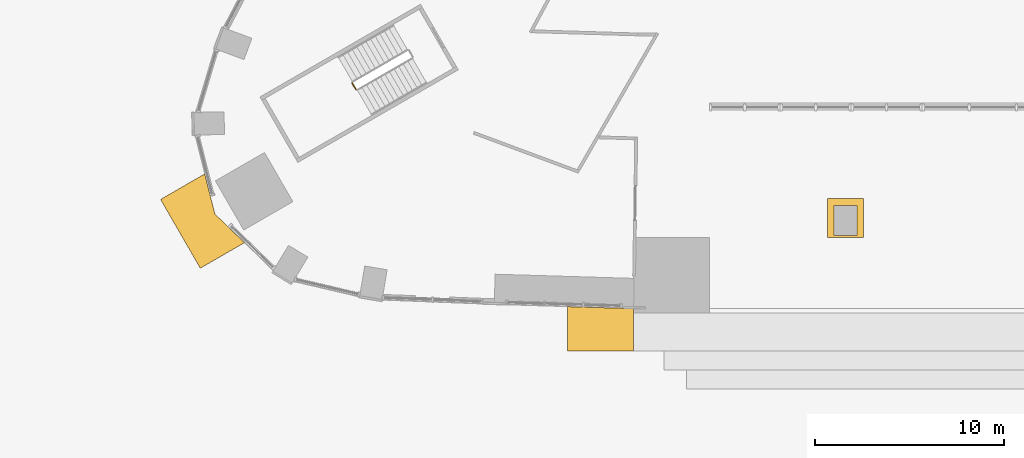
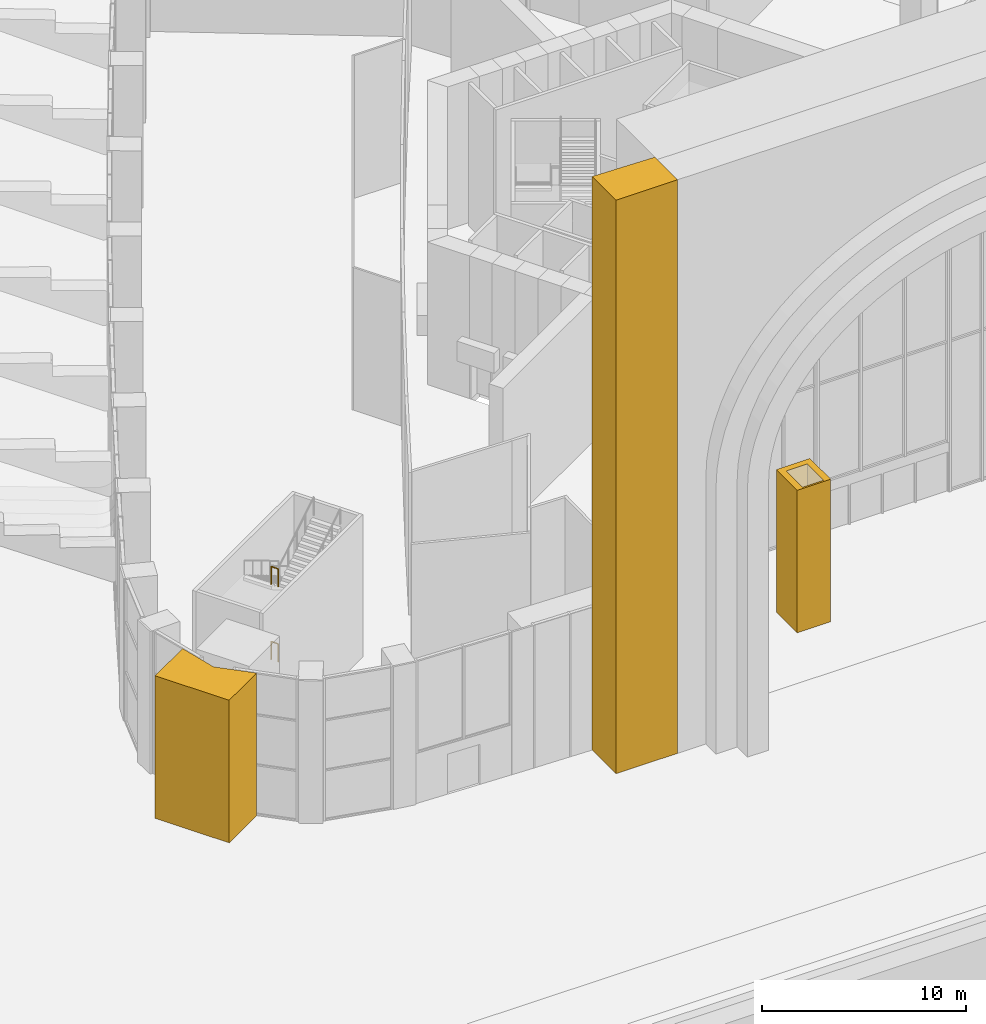
# One storey, part 24 of 36: 3 coverings, 2 railings.
"""IFC4 building model written with IfcOpenShell, lengths in metres."""

import ifcopenshell
import ifcopenshell.guid

model = None  # the IFC model being written
_history = None  # IfcOwnerHistory: only IFC2X3 demands one
_inside = {}  # id of a spatial element -> (the spatial element, [elements in it])
_under = {}  # id of a project, library or spatial element -> (it, [spatial elements below it])
_declared = {}  # id of a project -> (the project, [libraries it declares])
_typed = {}  # id of a type object -> (the type object, [elements of that type])
_made_of = {}  # id of a material, layer set ... -> (it, [elements and type objects made of it])


def new_model(schema):
    """Start an empty IFC model of exactly this schema.

    Asked for "IFC4X3", IfcOpenShell would pick the latest addendum, in which some entities
    have other attributes; the version numbers below select the first issue.
    IFC2X3 requires an IfcOwnerHistory on every rooted entity: one is made here for all.
    """
    global model, _history
    if schema == "IFC4X3":
        model = ifcopenshell.file(schema_version=(4, 3, 0, 0))
    else:
        model = ifcopenshell.file(schema=schema)
    _inside.clear()
    _under.clear()
    _declared.clear()
    _typed.clear()
    _made_of.clear()
    _history = None
    if model.schema == "IFC2X3":
        org = make("IfcOrganization", Name="unknown")
        user = make(
            "IfcPersonAndOrganization",
            ThePerson=make("IfcPerson", FamilyName="unknown"),
            TheOrganization=org,
        )
        app = make(
            "IfcApplication",
            ApplicationDeveloper=org,
            Version="unknown",
            ApplicationFullName="unknown",
            ApplicationIdentifier="unknown",
        )
        _history = make(
            "IfcOwnerHistory",
            OwningUser=user,
            OwningApplication=app,
            ChangeAction="ADDED",
            CreationDate=0,
        )
    return model


def make(cls, **values):
    """One entity of the class cls with the attributes given. An attribute that is None is left unset."""
    return model.create_entity(
        cls, **{name: value for name, value in values.items() if value is not None}
    )


def rooted(cls, **values):
    """An entity with a GlobalId (a new one), such as an element, a storey or a relation."""
    return make(cls, GlobalId=ifcopenshell.guid.new(), OwnerHistory=_history, **values)


def si_unit(unit_type, name, prefix=None):
    """IfcSIUnit, for example si_unit("LENGTHUNIT", "METRE", prefix="MILLI")."""
    return make("IfcSIUnit", UnitType=unit_type, Prefix=prefix, Name=name)


def assignment(units):
    """IfcUnitAssignment: the units of a project."""
    return None if units is None else make("IfcUnitAssignment", Units=units)


def point(xyz):
    """IfcCartesianPoint."""
    return None if xyz is None else make("IfcCartesianPoint", Coordinates=xyz)


def direction(xyz):
    """IfcDirection."""
    return None if xyz is None else make("IfcDirection", DirectionRatios=xyz)


def frame(location, z_axis=None, x_axis=None):
    """IfcAxis2Placement3D, a coordinate frame: its origin and axes. An axis left out is left unset."""
    return make(
        "IfcAxis2Placement3D",
        Location=point(location),
        Axis=direction(z_axis),
        RefDirection=direction(x_axis),
    )


def frame_2d(location, x_axis=None):
    """IfcAxis2Placement2D, a coordinate frame in the plane: its origin and x axis."""
    return make(
        "IfcAxis2Placement2D", Location=point(location), RefDirection=direction(x_axis)
    )


def origin():
    """The frame at (0, 0, 0) with its axes left unset."""
    return frame((0.0, 0.0, 0.0))


def origin_2d():
    """The frame at (0, 0) in the plane with its x axis left unset."""
    return frame_2d((0.0, 0.0))


def place(relative_to, where):
    """IfcLocalPlacement: puts the frame where relative to a parent placement (None: the world)."""
    return make(
        "IfcLocalPlacement", PlacementRelTo=relative_to, RelativePlacement=where
    )


def context(
    kind, dimensions, precision=None, world=None, true_north=None, identifier=None
):
    """IfcGeometricRepresentationContext, for example the 3D "Model" context."""
    return make(
        "IfcGeometricRepresentationContext",
        ContextIdentifier=identifier,
        ContextType=kind,
        CoordinateSpaceDimension=dimensions,
        Precision=precision,
        WorldCoordinateSystem=world,
        TrueNorth=true_north,
    )


def subcontext(parent, identifier, kind, view, scale=None):
    """IfcGeometricRepresentationSubContext, for example "Body" below "Model"."""
    return make(
        "IfcGeometricRepresentationSubContext",
        ContextIdentifier=identifier,
        ContextType=kind,
        ParentContext=parent,
        TargetScale=scale,
        TargetView=view,
    )


def project(units=None, contexts=None):
    """IfcProject with its units and contexts."""
    return rooted(
        "IfcProject",
        Name="project",
        RepresentationContexts=contexts,
        UnitsInContext=assignment(units),
    )


def spatial(cls, under=None, at=None, **own):
    """A site, building, storey or space (cls), placed at a placement, below another one or the project."""
    s = rooted(cls, ObjectPlacement=at, **own)
    if under is not None:
        _under.setdefault(under.id(), (under, []))[1].append(s)
    return s


def polyline(points):
    """IfcPolyline through the points."""
    return make("IfcPolyline", Points=[point(p) for p in points])


def profile(cls, at=None, kind="AREA", **sizes):
    """A parametric profile (cls). Its sizes go by their IFC names, for example OverallWidth=200.0."""
    return make(cls, ProfileType=kind, Position=at, **sizes)


def circle(**sizes):
    """IfcCircleProfileDef."""
    return profile("IfcCircleProfileDef", **sizes)


def outline(outer, holes=None, kind="AREA"):
    """IfcArbitraryClosedProfileDef: a profile drawn as a closed curve; with holes, ...WithVoids."""
    if holes is None:
        return make("IfcArbitraryClosedProfileDef", ProfileType=kind, OuterCurve=outer)
    return make(
        "IfcArbitraryProfileDefWithVoids",
        ProfileType=kind,
        OuterCurve=outer,
        InnerCurves=holes,
    )


def extrude(swept, where, along, depth):
    """IfcExtrudedAreaSolid: the profile swept, set in the frame where, extruded along a direction by depth."""
    return make(
        "IfcExtrudedAreaSolid",
        SweptArea=swept,
        Position=where,
        ExtrudedDirection=direction(along),
        Depth=depth,
    )


def shape(context_of_items, identifier, shape_type, items):
    """IfcShapeRepresentation: the items that make up one representation, for example the "Body"."""
    return make(
        "IfcShapeRepresentation",
        ContextOfItems=context_of_items,
        RepresentationIdentifier=identifier,
        RepresentationType=shape_type,
        Items=items,
    )


def material(Name=None, Category=None):
    """IfcMaterial."""
    return make("IfcMaterial", Name=Name, Category=Category)


def made_of(thing, what):
    """Note that an element or type object is made of a material, layer set ...; save() writes the relation."""
    if what is not None:
        _made_of.setdefault(what.id(), (what, []))[1].append(thing)
    return thing


def type_object(cls, material=None, **own):
    """A type object (cls), such as IfcWallType, which elements share."""
    return made_of(rooted(cls, **own), material)


def element(
    cls,
    number,
    at=None,
    inside=None,
    cuts=None,
    type_object=None,
    material=None,
    context=None,
    identifier="Body",
    shape_type=None,
    held_by="IfcProductDefinitionShape",
    body=None,
    shapes=None,
    **own,
):
    """One element of the class cls, such as IfcWall. Its Tag is "e" and its number.

    at: its placement. inside: the storey or other place that contains it. cuts: it is an
    opening in that element (IfcRelVoidsElement). A single representation is given by context,
    identifier, shape_type and body (its items); several are given by shapes. held_by: the class
    of the entity that holds the representations. save() writes the other relations.
    """
    e = rooted(cls, Tag="e%d" % number, ObjectPlacement=at, **own)
    if body is not None:
        shapes = [shape(context, identifier, shape_type, body)]
    if shapes is not None:
        e.Representation = make(held_by, Representations=shapes)
    if inside is not None:
        _inside.setdefault(inside.id(), (inside, []))[1].append(e)
    if cuts is not None:
        rooted(
            "IfcRelVoidsElement", RelatingBuildingElement=cuts, RelatedOpeningElement=e
        )
    if type_object is not None:
        _typed.setdefault(type_object.id(), (type_object, []))[1].append(e)
    return made_of(e, material)


def aggregate(whole, parts):
    """IfcRelAggregates: a whole, such as a stair, and the parts it consists of."""
    return rooted("IfcRelAggregates", RelatingObject=whole, RelatedObjects=parts)


def save(model, path):
    """Write the relations noted so far, then the file.

    IfcRelAggregates (storeys below a building ...), IfcRelContainedInSpatialStructure (elements
    in a storey), IfcRelDefinesByType, IfcRelAssociatesMaterial and IfcRelDeclares: one each for
    every whole, place, type object, material and project.
    """
    for whole, parts in _under.values():
        aggregate(whole, parts)
    for where, things in _inside.values():
        rooted(
            "IfcRelContainedInSpatialStructure",
            RelatedElements=things,
            RelatingStructure=where,
        )
    for kind, things in _typed.values():
        rooted("IfcRelDefinesByType", RelatedObjects=things, RelatingType=kind)
    for what, things in _made_of.values():
        rooted("IfcRelAssociatesMaterial", RelatedObjects=things, RelatingMaterial=what)
    for by, libraries in _declared.values():
        rooted("IfcRelDeclares", RelatingContext=by, RelatedDefinitions=libraries)
    model.write(path)


model = new_model("IFC4")

# Units and contexts
model_context = context("Model", 3, precision=1e-05, world=origin(), true_north=direction((0.0, 1.0)))
body_context = subcontext(model_context, "Body", "Model", "MODEL_VIEW")
ifc_project = project(units=[si_unit("LENGTHUNIT", "METRE"), si_unit("AREAUNIT", "SQUARE_METRE"), si_unit("VOLUMEUNIT", "CUBIC_METRE"), si_unit("PLANEANGLEUNIT", "RADIAN"), si_unit("MASSUNIT", "GRAM", prefix="KILO")], contexts=[model_context])

# Site, building, storey
site_placement = place(None, origin())
site = spatial("IfcSite", under=ifc_project, at=site_placement, CompositionType="ELEMENT")
building_placement = place(site_placement, origin())
building = spatial("IfcBuilding", under=site, at=building_placement, Name="Entoto Arch Interchange Tower", CompositionType="ELEMENT")
storey_placement = place(building_placement, origin())
storey = spatial("IfcBuildingStorey", under=building, at=storey_placement, Name="L00", CompositionType="ELEMENT", Elevation=0.0)

# Coverings
ifc_material_1 = material(Name="Board-marked precast concrete C50/60", Category="concrete")
covering_type = type_object("IfcCoveringType", Name="PRECAST FRAME COURSE", PredefinedType="CLADDING", material=ifc_material_1)
covering_1_placement = place(storey_placement, origin())
element("IfcCovering", 1, at=covering_1_placement, inside=storey, type_object=covering_type, Name="Portal frame jamb W", PredefinedType="CLADDING", context=body_context, shape_type="SweptSolid", body=[
    extrude(outline(polyline([(-19.0, -31.0), (-22.5, -31.0), (-22.5, -28.656982421875), (-19.0, -28.761962890625), (-19.0, -31.0)])), origin(), (0.0, 0.0, 1.0), 34.39990234375),
])
covering_2_placement = place(storey_placement, origin())
element("IfcCovering", 2, at=covering_2_placement, inside=storey, type_object=covering_type, Name="Podium corner pier SW L00", PredefinedType="CLADDING", context=body_context, shape_type="SweptSolid", body=[
    extrude(outline(polyline([(-44.01611328125, -22.987060546875), (-41.679931640625, -21.638916015625), (-41.14697265625, -23.756103515625), (-39.580078125, -25.27587890625), (-41.916015625, -26.625), (-44.01611328125, -22.987060546875)])), origin(), (0.0, 0.0, 1.0), 8.550048828125),
])
covering_3_placement = place(storey_placement, origin())
element("IfcCovering", 3, at=covering_3_placement, inside=storey, type_object=covering_type, Name="Gate pier L00", PredefinedType="CLADDING", context=body_context, shape_type="SweptSolid", body=[
    extrude(outline(polyline([(-8.75, -22.949951171875), (-6.85009765625, -22.949951171875), (-6.85009765625, -24.9990234375), (-8.75, -24.9990234375), (-8.75, -22.949951171875)]), holes=[polyline([(-8.39990234375, -23.300048828125), (-8.39990234375, -24.89990234375), (-7.199951171875, -24.89990234375), (-7.199951171875, -23.300048828125), (-8.39990234375, -23.300048828125)])]), origin(), (0.0, 0.0, 1.0), 8.550048828125),
])

# Railings
ifc_material_2 = material(Name="Stainless steel 1.4301", Category="steel")
railing_type = type_object("IfcRailingType", Name="STAIR GUARD 1100 STEEL", PredefinedType="GUARDRAIL", material=ifc_material_2)
for number, where, name in (
    (4, (-33.8837890625, -16.831787109375, 2.25), "L00 PST-SW stair guard 2"),
    (5, (-33.8837890625, -16.831787109375, 6.75), "L00 PST-SW stair guard 6"),
):
    element("IfcRailing", number, at=place(storey_placement, frame(where)), inside=storey, type_object=railing_type, Name=name, PredefinedType="GUARDRAIL", context=body_context, shape_type="SweptSolid", body=[
        extrude(circle(Radius=0.02392578125, at=origin_2d()), frame((0.0, 0.0, 1.076171875), z_axis=(0.500338590944, -0.865829829939, 0.0), x_axis=(0.865829829939, 0.500338590944, 0.0)), (0.0, 0.0, 1.0), 0.400146484375),
        extrude(circle(Radius=0.02099609375, at=origin_2d()), origin(), (0.0, 0.0, 1.0), 1.052001953125),
        extrude(circle(Radius=0.02099609375, at=origin_2d()), frame((0.2001953125, -0.346435546875, 0.0)), (0.0, 0.0, 1.0), 1.052001953125),
    ])

save(model, "model.ifc")
